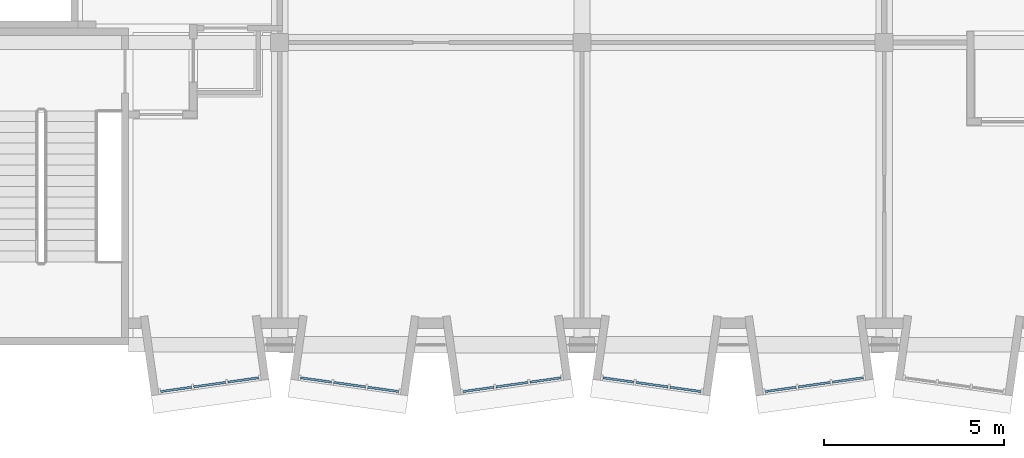
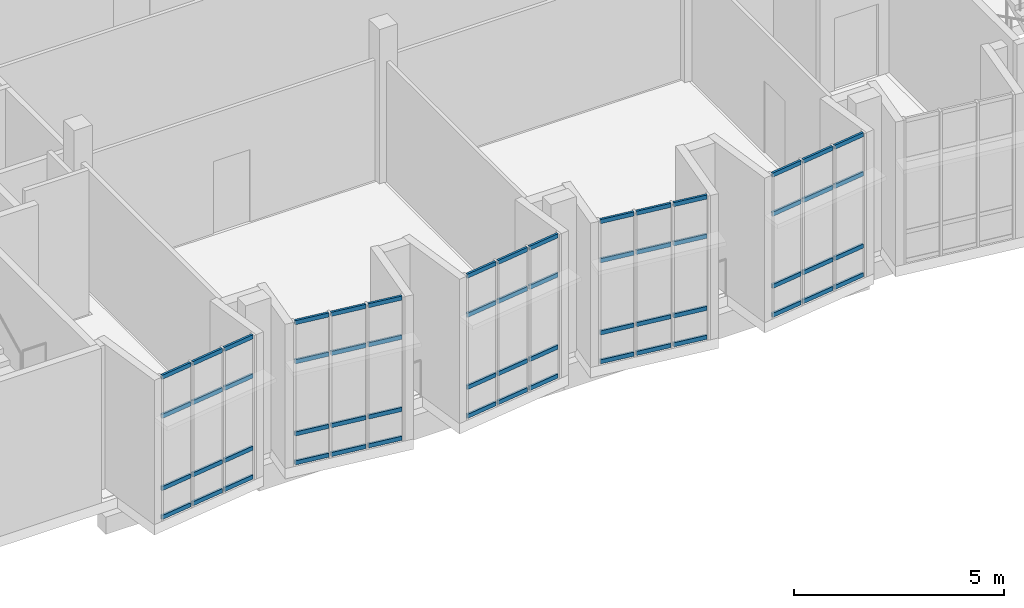
# One storey, part 5 of 18: 60 members, 5 elements without a shape of their own.
"""IFC4 building model written with IfcOpenShell, lengths in metres."""

from ifc_helpers import new_model, si_unit, direction, frame, origin, origin_2d, place, context, subcontext, project, spatial, rectangle, extrude, material, layer, layer_set, material_profile, profile_set, type_object, element, aggregate, save


model = new_model("IFC4")

# Units and contexts
model_context = context("Model", 3, precision=1e-05, world=origin(), true_north=direction((0.0, 1.0)))
body_context = subcontext(model_context, "Body", "Model", "MODEL_VIEW")
ifc_project = project(units=[si_unit("LENGTHUNIT", "METRE"), si_unit("AREAUNIT", "SQUARE_METRE"), si_unit("VOLUMEUNIT", "CUBIC_METRE"), si_unit("PLANEANGLEUNIT", "RADIAN"), si_unit("MASSUNIT", "GRAM", prefix="KILO")], contexts=[model_context])

# Site, building, storey
site_placement = place(None, origin())
site = spatial("IfcSite", under=ifc_project, at=site_placement, CompositionType="ELEMENT")
building_placement = place(site_placement, origin())
building = spatial("IfcBuilding", under=site, at=building_placement, Name="Kiln Court Media Centre", CompositionType="ELEMENT")
storey_placement = place(building_placement, frame((0.0, 0.0, 33.60009765625)))
storey = spatial("IfcBuildingStorey", under=building, at=storey_placement, Name="L07", CompositionType="ELEMENT", Elevation=33.60009765625)

# Curtain wall, members
ifc_material_1 = material(Name="Aluminium 6063-T6", Category="aluminium")
ifc_layer = layer(ifc_material_1, 0.1201171875)
ifc_layer_set = layer_set([ifc_layer], Name="Aluminium unitised bay curtain wall")
curtain_wall_type = type_object("IfcCurtainWallType", Name="Aluminium unitised bay curtain wall", PredefinedType="USERDEFINED", material=ifc_layer_set)
curtain_wall_1_placement = place(storey_placement, origin())
curtain_wall_1 = element("IfcCurtainWall", 1, at=curtain_wall_1_placement, inside=storey, type_object=curtain_wall_type, Name="BAY V6A-S-L07-47 front", ObjectType="UNITISED CURTAIN WALL", PredefinedType="USERDEFINED")
ifc_material_2 = material(Name="Aluminium 6063-T6", Category="aluminium")
ifc_material_profile = material_profile(ifc_material_2, rectangle(XDim=0.06005859375, YDim=0.1201171875, at=origin_2d()), Name="Aluminium transom 60x120")
ifc_profile_set = profile_set([ifc_material_profile], Name="Aluminium 6063-T6")
member_type = type_object("IfcMemberType", Name="Aluminium transom 60x120", PredefinedType="USERDEFINED", material=ifc_profile_set)
member_1_placement = place(storey_placement, frame((5.09423828125, -1.300537109375, 0.059814453125), z_axis=(0.990268108888, 0.139172815303, 0.0), x_axis=(-0.139172815303, 0.990268108888, 0.0)))
member_1 = element("IfcMember", 2, at=member_1_placement, type_object=member_type, Name="CW7-11 transom 1.1", ObjectType="TRANSOM", PredefinedType="USERDEFINED", context=body_context, shape_type="SweptSolid", body=[
    extrude(rectangle(XDim=0.06005859375, YDim=0.1201171875, at=origin_2d()), origin(), (0.0, 0.0, 1.0), 0.86669921875),
])
member_2_placement = place(storey_placement, frame((5.09423828125, -1.300537109375, 0.89990234375), z_axis=(0.990268108888, 0.139172815303, 0.0), x_axis=(-0.139172815303, 0.990268108888, 0.0)))
member_2 = element("IfcMember", 3, at=member_2_placement, type_object=member_type, Name="CW7-11 transom 1.2", ObjectType="TRANSOM", PredefinedType="USERDEFINED", context=body_context, shape_type="SweptSolid", body=[
    extrude(rectangle(XDim=0.06005859375, YDim=0.1201171875, at=origin_2d()), origin(), (0.0, 0.0, 1.0), 0.86669921875),
])
member_3_placement = place(storey_placement, frame((5.09423828125, -1.300537109375, 3.0), z_axis=(0.990268108888, 0.139172815303, 0.0), x_axis=(-0.139172815303, 0.990268108888, 0.0)))
member_3 = element("IfcMember", 4, at=member_3_placement, type_object=member_type, Name="CW7-11 transom 1.3", ObjectType="TRANSOM", PredefinedType="USERDEFINED", context=body_context, shape_type="SweptSolid", body=[
    extrude(rectangle(XDim=0.06005859375, YDim=0.1201171875, at=origin_2d()), origin(), (0.0, 0.0, 1.0), 0.86669921875),
])
member_4_placement = place(storey_placement, frame((5.09423828125, -1.300537109375, 4.139892578125), z_axis=(0.990268108888, 0.139172815303, 0.0), x_axis=(-0.139172815303, 0.990268108888, 0.0)))
member_4 = element("IfcMember", 5, at=member_4_placement, type_object=member_type, Name="CW7-11 transom 1.4", ObjectType="TRANSOM", PredefinedType="USERDEFINED", context=body_context, shape_type="SweptSolid", body=[
    extrude(rectangle(XDim=0.06005859375, YDim=0.1201171875, at=origin_2d()), origin(), (0.0, 0.0, 1.0), 0.86669921875),
])
member_5_placement = place(storey_placement, frame((6.011962890625, -1.17138671875, 0.059814453125), z_axis=(0.990273584723, 0.13913384707, 0.0), x_axis=(-0.13913384707, 0.990273584723, 0.0)))
member_5 = element("IfcMember", 6, at=member_5_placement, type_object=member_type, Name="CW7-11 transom 2.1", ObjectType="TRANSOM", PredefinedType="USERDEFINED", context=body_context, shape_type="SweptSolid", body=[
    extrude(rectangle(XDim=0.06005859375, YDim=0.1201171875, at=origin_2d()), origin(), (0.0, 0.0, 1.0), 0.896728515625),
])
member_6_placement = place(storey_placement, frame((6.011962890625, -1.17138671875, 0.89990234375), z_axis=(0.990273584723, 0.13913384707, 0.0), x_axis=(-0.13913384707, 0.990273584723, 0.0)))
member_6 = element("IfcMember", 7, at=member_6_placement, type_object=member_type, Name="CW7-11 transom 2.2", ObjectType="TRANSOM", PredefinedType="USERDEFINED", context=body_context, shape_type="SweptSolid", body=[
    extrude(rectangle(XDim=0.06005859375, YDim=0.1201171875, at=origin_2d()), origin(), (0.0, 0.0, 1.0), 0.896728515625),
])
member_7_placement = place(storey_placement, frame((6.011962890625, -1.17138671875, 3.0), z_axis=(0.990273584723, 0.13913384707, 0.0), x_axis=(-0.13913384707, 0.990273584723, 0.0)))
member_7 = element("IfcMember", 8, at=member_7_placement, type_object=member_type, Name="CW7-11 transom 2.3", ObjectType="TRANSOM", PredefinedType="USERDEFINED", context=body_context, shape_type="SweptSolid", body=[
    extrude(rectangle(XDim=0.06005859375, YDim=0.1201171875, at=origin_2d()), origin(), (0.0, 0.0, 1.0), 0.896728515625),
])
member_8_placement = place(storey_placement, frame((6.011962890625, -1.17138671875, 4.139892578125), z_axis=(0.990273584723, 0.13913384707, 0.0), x_axis=(-0.13913384707, 0.990273584723, 0.0)))
member_8 = element("IfcMember", 9, at=member_8_placement, type_object=member_type, Name="CW7-11 transom 2.4", ObjectType="TRANSOM", PredefinedType="USERDEFINED", context=body_context, shape_type="SweptSolid", body=[
    extrude(rectangle(XDim=0.06005859375, YDim=0.1201171875, at=origin_2d()), origin(), (0.0, 0.0, 1.0), 0.896728515625),
])
member_9_placement = place(storey_placement, frame((6.959228515625, -1.038330078125, 0.059814453125), z_axis=(0.990268108888, 0.139172815303, 0.0), x_axis=(-0.139172815303, 0.990268108888, 0.0)))
member_9 = element("IfcMember", 10, at=member_9_placement, type_object=member_type, Name="CW7-11 transom 3.1", ObjectType="TRANSOM", PredefinedType="USERDEFINED", context=body_context, shape_type="SweptSolid", body=[
    extrude(rectangle(XDim=0.06005859375, YDim=0.1201171875, at=origin_2d()), origin(), (0.0, 0.0, 1.0), 0.86669921875),
])
member_10_placement = place(storey_placement, frame((6.959228515625, -1.038330078125, 0.89990234375), z_axis=(0.990268108888, 0.139172815303, 0.0), x_axis=(-0.139172815303, 0.990268108888, 0.0)))
member_10 = element("IfcMember", 11, at=member_10_placement, type_object=member_type, Name="CW7-11 transom 3.2", ObjectType="TRANSOM", PredefinedType="USERDEFINED", context=body_context, shape_type="SweptSolid", body=[
    extrude(rectangle(XDim=0.06005859375, YDim=0.1201171875, at=origin_2d()), origin(), (0.0, 0.0, 1.0), 0.86669921875),
])
member_11_placement = place(storey_placement, frame((6.959228515625, -1.038330078125, 3.0), z_axis=(0.990268108888, 0.139172815303, 0.0), x_axis=(-0.139172815303, 0.990268108888, 0.0)))
member_11 = element("IfcMember", 12, at=member_11_placement, type_object=member_type, Name="CW7-11 transom 3.3", ObjectType="TRANSOM", PredefinedType="USERDEFINED", context=body_context, shape_type="SweptSolid", body=[
    extrude(rectangle(XDim=0.06005859375, YDim=0.1201171875, at=origin_2d()), origin(), (0.0, 0.0, 1.0), 0.86669921875),
])
member_12_placement = place(storey_placement, frame((6.959228515625, -1.038330078125, 4.139892578125), z_axis=(0.990268108888, 0.139172815303, 0.0), x_axis=(-0.139172815303, 0.990268108888, 0.0)))
member_12 = element("IfcMember", 13, at=member_12_placement, type_object=member_type, Name="CW7-11 transom 3.4", ObjectType="TRANSOM", PredefinedType="USERDEFINED", context=body_context, shape_type="SweptSolid", body=[
    extrude(rectangle(XDim=0.06005859375, YDim=0.1201171875, at=origin_2d()), origin(), (0.0, 0.0, 1.0), 0.86669921875),
])
aggregate(curtain_wall_1, [member_1, member_2, member_3, member_4, member_5, member_6, member_7, member_8, member_9, member_10, member_11, member_12])

curtain_wall_2_placement = place(storey_placement, origin())
curtain_wall_2 = element("IfcCurtainWall", 14, at=curtain_wall_2_placement, inside=storey, type_object=curtain_wall_type, Name="BAY V6A-S-L07-48 front", ObjectType="UNITISED CURTAIN WALL", PredefinedType="USERDEFINED")
member_13_placement = place(storey_placement, frame((8.982421875, -0.917724609375, 0.059814453125), z_axis=(0.990273563383, -0.139133998951, 0.0), x_axis=(0.139133998951, 0.990273563383, 0.0)))
member_13 = element("IfcMember", 15, at=member_13_placement, type_object=member_type, Name="CW7-12 transom 1.1", ObjectType="TRANSOM", PredefinedType="USERDEFINED", context=body_context, shape_type="SweptSolid", body=[
    extrude(rectangle(XDim=0.06005859375, YDim=0.1201171875, at=origin_2d()), origin(), (0.0, 0.0, 1.0), 0.866943359375),
])
member_14_placement = place(storey_placement, frame((8.982421875, -0.917724609375, 0.89990234375), z_axis=(0.990273563383, -0.139133998951, 0.0), x_axis=(0.139133998951, 0.990273563383, 0.0)))
member_14 = element("IfcMember", 16, at=member_14_placement, type_object=member_type, Name="CW7-12 transom 1.2", ObjectType="TRANSOM", PredefinedType="USERDEFINED", context=body_context, shape_type="SweptSolid", body=[
    extrude(rectangle(XDim=0.06005859375, YDim=0.1201171875, at=origin_2d()), origin(), (0.0, 0.0, 1.0), 0.866943359375),
])
member_15_placement = place(storey_placement, frame((8.982421875, -0.917724609375, 3.0), z_axis=(0.990273563383, -0.139133998951, 0.0), x_axis=(0.139133998951, 0.990273563383, 0.0)))
member_15 = element("IfcMember", 17, at=member_15_placement, type_object=member_type, Name="CW7-12 transom 1.3", ObjectType="TRANSOM", PredefinedType="USERDEFINED", context=body_context, shape_type="SweptSolid", body=[
    extrude(rectangle(XDim=0.06005859375, YDim=0.1201171875, at=origin_2d()), origin(), (0.0, 0.0, 1.0), 0.866943359375),
])
member_16_placement = place(storey_placement, frame((8.982421875, -0.917724609375, 4.139892578125), z_axis=(0.990273563383, -0.139133998951, 0.0), x_axis=(0.139133998951, 0.990273563383, 0.0)))
member_16 = element("IfcMember", 18, at=member_16_placement, type_object=member_type, Name="CW7-12 transom 1.4", ObjectType="TRANSOM", PredefinedType="USERDEFINED", context=body_context, shape_type="SweptSolid", body=[
    extrude(rectangle(XDim=0.06005859375, YDim=0.1201171875, at=origin_2d()), origin(), (0.0, 0.0, 1.0), 0.866943359375),
])
member_17_placement = place(storey_placement, frame((9.900146484375, -1.046630859375, 0.059814453125), z_axis=(0.990273584723, -0.13913384707, 0.0), x_axis=(0.13913384707, 0.990273584723, 0.0)))
member_17 = element("IfcMember", 19, at=member_17_placement, type_object=member_type, Name="CW7-12 transom 2.1", ObjectType="TRANSOM", PredefinedType="USERDEFINED", context=body_context, shape_type="SweptSolid", body=[
    extrude(rectangle(XDim=0.06005859375, YDim=0.1201171875, at=origin_2d()), origin(), (0.0, 0.0, 1.0), 0.896728515625),
])
member_18_placement = place(storey_placement, frame((9.900146484375, -1.046630859375, 0.89990234375), z_axis=(0.990273584723, -0.13913384707, 0.0), x_axis=(0.13913384707, 0.990273584723, 0.0)))
member_18 = element("IfcMember", 20, at=member_18_placement, type_object=member_type, Name="CW7-12 transom 2.2", ObjectType="TRANSOM", PredefinedType="USERDEFINED", context=body_context, shape_type="SweptSolid", body=[
    extrude(rectangle(XDim=0.06005859375, YDim=0.1201171875, at=origin_2d()), origin(), (0.0, 0.0, 1.0), 0.896728515625),
])
member_19_placement = place(storey_placement, frame((9.900146484375, -1.046630859375, 3.0), z_axis=(0.990273584723, -0.13913384707, 0.0), x_axis=(0.13913384707, 0.990273584723, 0.0)))
member_19 = element("IfcMember", 21, at=member_19_placement, type_object=member_type, Name="CW7-12 transom 2.3", ObjectType="TRANSOM", PredefinedType="USERDEFINED", context=body_context, shape_type="SweptSolid", body=[
    extrude(rectangle(XDim=0.06005859375, YDim=0.1201171875, at=origin_2d()), origin(), (0.0, 0.0, 1.0), 0.896728515625),
])
member_20_placement = place(storey_placement, frame((9.900146484375, -1.046630859375, 4.139892578125), z_axis=(0.990273584723, -0.13913384707, 0.0), x_axis=(0.13913384707, 0.990273584723, 0.0)))
member_20 = element("IfcMember", 22, at=member_20_placement, type_object=member_type, Name="CW7-12 transom 2.4", ObjectType="TRANSOM", PredefinedType="USERDEFINED", context=body_context, shape_type="SweptSolid", body=[
    extrude(rectangle(XDim=0.06005859375, YDim=0.1201171875, at=origin_2d()), origin(), (0.0, 0.0, 1.0), 0.896728515625),
])
member_21_placement = place(storey_placement, frame((10.84765625, -1.179931640625, 0.059814453125), z_axis=(0.990268108888, -0.139172815303, 0.0), x_axis=(0.139172815303, 0.990268108888, 0.0)))
member_21 = element("IfcMember", 23, at=member_21_placement, type_object=member_type, Name="CW7-12 transom 3.1", ObjectType="TRANSOM", PredefinedType="USERDEFINED", context=body_context, shape_type="SweptSolid", body=[
    extrude(rectangle(XDim=0.06005859375, YDim=0.1201171875, at=origin_2d()), origin(), (0.0, 0.0, 1.0), 0.86669921875),
])
member_22_placement = place(storey_placement, frame((10.84765625, -1.179931640625, 0.89990234375), z_axis=(0.990268108888, -0.139172815303, 0.0), x_axis=(0.139172815303, 0.990268108888, 0.0)))
member_22 = element("IfcMember", 24, at=member_22_placement, type_object=member_type, Name="CW7-12 transom 3.2", ObjectType="TRANSOM", PredefinedType="USERDEFINED", context=body_context, shape_type="SweptSolid", body=[
    extrude(rectangle(XDim=0.06005859375, YDim=0.1201171875, at=origin_2d()), origin(), (0.0, 0.0, 1.0), 0.86669921875),
])
member_23_placement = place(storey_placement, frame((10.84765625, -1.179931640625, 3.0), z_axis=(0.990268108888, -0.139172815303, 0.0), x_axis=(0.139172815303, 0.990268108888, 0.0)))
member_23 = element("IfcMember", 25, at=member_23_placement, type_object=member_type, Name="CW7-12 transom 3.3", ObjectType="TRANSOM", PredefinedType="USERDEFINED", context=body_context, shape_type="SweptSolid", body=[
    extrude(rectangle(XDim=0.06005859375, YDim=0.1201171875, at=origin_2d()), origin(), (0.0, 0.0, 1.0), 0.86669921875),
])
member_24_placement = place(storey_placement, frame((10.84765625, -1.179931640625, 4.139892578125), z_axis=(0.990268108888, -0.139172815303, 0.0), x_axis=(0.139172815303, 0.990268108888, 0.0)))
member_24 = element("IfcMember", 26, at=member_24_placement, type_object=member_type, Name="CW7-12 transom 3.4", ObjectType="TRANSOM", PredefinedType="USERDEFINED", context=body_context, shape_type="SweptSolid", body=[
    extrude(rectangle(XDim=0.06005859375, YDim=0.1201171875, at=origin_2d()), origin(), (0.0, 0.0, 1.0), 0.86669921875),
])
aggregate(curtain_wall_2, [member_13, member_14, member_15, member_16, member_17, member_18, member_19, member_20, member_21, member_22, member_23, member_24])

curtain_wall_3_placement = place(storey_placement, origin())
curtain_wall_3 = element("IfcCurtainWall", 27, at=curtain_wall_3_placement, inside=storey, type_object=curtain_wall_type, Name="BAY V6A-S-L07-49 front", ObjectType="UNITISED CURTAIN WALL", PredefinedType="USERDEFINED")
member_25_placement = place(storey_placement, frame((13.494140625, -1.300537109375, 0.059814453125), z_axis=(0.990273563383, 0.139133998951, 0.0), x_axis=(-0.139133998951, 0.990273563383, 0.0)))
member_25 = element("IfcMember", 28, at=member_25_placement, type_object=member_type, Name="CW7-13 transom 1.1", ObjectType="TRANSOM", PredefinedType="USERDEFINED", context=body_context, shape_type="SweptSolid", body=[
    extrude(rectangle(XDim=0.06005859375, YDim=0.1201171875, at=origin_2d()), origin(), (0.0, 0.0, 1.0), 0.866943359375),
])
member_26_placement = place(storey_placement, frame((13.494140625, -1.300537109375, 0.89990234375), z_axis=(0.990273563383, 0.139133998951, 0.0), x_axis=(-0.139133998951, 0.990273563383, 0.0)))
member_26 = element("IfcMember", 29, at=member_26_placement, type_object=member_type, Name="CW7-13 transom 1.2", ObjectType="TRANSOM", PredefinedType="USERDEFINED", context=body_context, shape_type="SweptSolid", body=[
    extrude(rectangle(XDim=0.06005859375, YDim=0.1201171875, at=origin_2d()), origin(), (0.0, 0.0, 1.0), 0.866943359375),
])
member_27_placement = place(storey_placement, frame((13.494140625, -1.300537109375, 3.0), z_axis=(0.990273563383, 0.139133998951, 0.0), x_axis=(-0.139133998951, 0.990273563383, 0.0)))
member_27 = element("IfcMember", 30, at=member_27_placement, type_object=member_type, Name="CW7-13 transom 1.3", ObjectType="TRANSOM", PredefinedType="USERDEFINED", context=body_context, shape_type="SweptSolid", body=[
    extrude(rectangle(XDim=0.06005859375, YDim=0.1201171875, at=origin_2d()), origin(), (0.0, 0.0, 1.0), 0.866943359375),
])
member_28_placement = place(storey_placement, frame((13.494140625, -1.300537109375, 4.139892578125), z_axis=(0.990273563383, 0.139133998951, 0.0), x_axis=(-0.139133998951, 0.990273563383, 0.0)))
member_28 = element("IfcMember", 31, at=member_28_placement, type_object=member_type, Name="CW7-13 transom 1.4", ObjectType="TRANSOM", PredefinedType="USERDEFINED", context=body_context, shape_type="SweptSolid", body=[
    extrude(rectangle(XDim=0.06005859375, YDim=0.1201171875, at=origin_2d()), origin(), (0.0, 0.0, 1.0), 0.866943359375),
])
member_29_placement = place(storey_placement, frame((14.411865234375, -1.17138671875, 0.059814453125), z_axis=(0.990273584723, 0.13913384707, 0.0), x_axis=(-0.13913384707, 0.990273584723, 0.0)))
member_29 = element("IfcMember", 32, at=member_29_placement, type_object=member_type, Name="CW7-13 transom 2.1", ObjectType="TRANSOM", PredefinedType="USERDEFINED", context=body_context, shape_type="SweptSolid", body=[
    extrude(rectangle(XDim=0.06005859375, YDim=0.1201171875, at=origin_2d()), origin(), (0.0, 0.0, 1.0), 0.896728515625),
])
member_30_placement = place(storey_placement, frame((14.411865234375, -1.17138671875, 0.89990234375), z_axis=(0.990273584723, 0.13913384707, 0.0), x_axis=(-0.13913384707, 0.990273584723, 0.0)))
member_30 = element("IfcMember", 33, at=member_30_placement, type_object=member_type, Name="CW7-13 transom 2.2", ObjectType="TRANSOM", PredefinedType="USERDEFINED", context=body_context, shape_type="SweptSolid", body=[
    extrude(rectangle(XDim=0.06005859375, YDim=0.1201171875, at=origin_2d()), origin(), (0.0, 0.0, 1.0), 0.896728515625),
])
member_31_placement = place(storey_placement, frame((14.411865234375, -1.17138671875, 3.0), z_axis=(0.990273584723, 0.13913384707, 0.0), x_axis=(-0.13913384707, 0.990273584723, 0.0)))
member_31 = element("IfcMember", 34, at=member_31_placement, type_object=member_type, Name="CW7-13 transom 2.3", ObjectType="TRANSOM", PredefinedType="USERDEFINED", context=body_context, shape_type="SweptSolid", body=[
    extrude(rectangle(XDim=0.06005859375, YDim=0.1201171875, at=origin_2d()), origin(), (0.0, 0.0, 1.0), 0.896728515625),
])
member_32_placement = place(storey_placement, frame((14.411865234375, -1.17138671875, 4.139892578125), z_axis=(0.990273584723, 0.13913384707, 0.0), x_axis=(-0.13913384707, 0.990273584723, 0.0)))
member_32 = element("IfcMember", 35, at=member_32_placement, type_object=member_type, Name="CW7-13 transom 2.4", ObjectType="TRANSOM", PredefinedType="USERDEFINED", context=body_context, shape_type="SweptSolid", body=[
    extrude(rectangle(XDim=0.06005859375, YDim=0.1201171875, at=origin_2d()), origin(), (0.0, 0.0, 1.0), 0.896728515625),
])
member_33_placement = place(storey_placement, frame((15.359130859375, -1.038330078125, 0.059814453125), z_axis=(0.990273563383, 0.139133998951, 0.0), x_axis=(-0.139133998951, 0.990273563383, 0.0)))
member_33 = element("IfcMember", 36, at=member_33_placement, type_object=member_type, Name="CW7-13 transom 3.1", ObjectType="TRANSOM", PredefinedType="USERDEFINED", context=body_context, shape_type="SweptSolid", body=[
    extrude(rectangle(XDim=0.06005859375, YDim=0.1201171875, at=origin_2d()), origin(), (0.0, 0.0, 1.0), 0.866943359375),
])
member_34_placement = place(storey_placement, frame((15.359130859375, -1.038330078125, 0.89990234375), z_axis=(0.990273563383, 0.139133998951, 0.0), x_axis=(-0.139133998951, 0.990273563383, 0.0)))
member_34 = element("IfcMember", 37, at=member_34_placement, type_object=member_type, Name="CW7-13 transom 3.2", ObjectType="TRANSOM", PredefinedType="USERDEFINED", context=body_context, shape_type="SweptSolid", body=[
    extrude(rectangle(XDim=0.06005859375, YDim=0.1201171875, at=origin_2d()), origin(), (0.0, 0.0, 1.0), 0.866943359375),
])
member_35_placement = place(storey_placement, frame((15.359130859375, -1.038330078125, 3.0), z_axis=(0.990273563383, 0.139133998951, 0.0), x_axis=(-0.139133998951, 0.990273563383, 0.0)))
member_35 = element("IfcMember", 38, at=member_35_placement, type_object=member_type, Name="CW7-13 transom 3.3", ObjectType="TRANSOM", PredefinedType="USERDEFINED", context=body_context, shape_type="SweptSolid", body=[
    extrude(rectangle(XDim=0.06005859375, YDim=0.1201171875, at=origin_2d()), origin(), (0.0, 0.0, 1.0), 0.866943359375),
])
member_36_placement = place(storey_placement, frame((15.359130859375, -1.038330078125, 4.139892578125), z_axis=(0.990273563383, 0.139133998951, 0.0), x_axis=(-0.139133998951, 0.990273563383, 0.0)))
member_36 = element("IfcMember", 39, at=member_36_placement, type_object=member_type, Name="CW7-13 transom 3.4", ObjectType="TRANSOM", PredefinedType="USERDEFINED", context=body_context, shape_type="SweptSolid", body=[
    extrude(rectangle(XDim=0.06005859375, YDim=0.1201171875, at=origin_2d()), origin(), (0.0, 0.0, 1.0), 0.866943359375),
])
aggregate(curtain_wall_3, [member_25, member_26, member_27, member_28, member_29, member_30, member_31, member_32, member_33, member_34, member_35, member_36])

curtain_wall_4_placement = place(storey_placement, origin())
curtain_wall_4 = element("IfcCurtainWall", 40, at=curtain_wall_4_placement, inside=storey, type_object=curtain_wall_type, Name="BAY V6A-S-L07-50 front", ObjectType="UNITISED CURTAIN WALL", PredefinedType="USERDEFINED")
member_37_placement = place(storey_placement, frame((17.382568359375, -0.917724609375, 0.059814453125), z_axis=(0.990268108888, -0.139172815303, 0.0), x_axis=(0.139172815303, 0.990268108888, 0.0)))
member_37 = element("IfcMember", 41, at=member_37_placement, type_object=member_type, Name="CW7-14 transom 1.1", ObjectType="TRANSOM", PredefinedType="USERDEFINED", context=body_context, shape_type="SweptSolid", body=[
    extrude(rectangle(XDim=0.06005859375, YDim=0.1201171875, at=origin_2d()), origin(), (0.0, 0.0, 1.0), 0.86669921875),
])
member_38_placement = place(storey_placement, frame((17.382568359375, -0.917724609375, 0.89990234375), z_axis=(0.990268108888, -0.139172815303, 0.0), x_axis=(0.139172815303, 0.990268108888, 0.0)))
member_38 = element("IfcMember", 42, at=member_38_placement, type_object=member_type, Name="CW7-14 transom 1.2", ObjectType="TRANSOM", PredefinedType="USERDEFINED", context=body_context, shape_type="SweptSolid", body=[
    extrude(rectangle(XDim=0.06005859375, YDim=0.1201171875, at=origin_2d()), origin(), (0.0, 0.0, 1.0), 0.86669921875),
])
member_39_placement = place(storey_placement, frame((17.382568359375, -0.917724609375, 3.0), z_axis=(0.990268108888, -0.139172815303, 0.0), x_axis=(0.139172815303, 0.990268108888, 0.0)))
member_39 = element("IfcMember", 43, at=member_39_placement, type_object=member_type, Name="CW7-14 transom 1.3", ObjectType="TRANSOM", PredefinedType="USERDEFINED", context=body_context, shape_type="SweptSolid", body=[
    extrude(rectangle(XDim=0.06005859375, YDim=0.1201171875, at=origin_2d()), origin(), (0.0, 0.0, 1.0), 0.86669921875),
])
member_40_placement = place(storey_placement, frame((17.382568359375, -0.917724609375, 4.139892578125), z_axis=(0.990268108888, -0.139172815303, 0.0), x_axis=(0.139172815303, 0.990268108888, 0.0)))
member_40 = element("IfcMember", 44, at=member_40_placement, type_object=member_type, Name="CW7-14 transom 1.4", ObjectType="TRANSOM", PredefinedType="USERDEFINED", context=body_context, shape_type="SweptSolid", body=[
    extrude(rectangle(XDim=0.06005859375, YDim=0.1201171875, at=origin_2d()), origin(), (0.0, 0.0, 1.0), 0.86669921875),
])
member_41_placement = place(storey_placement, frame((18.30029296875, -1.046630859375, 0.059814453125), z_axis=(0.990273584723, -0.13913384707, 0.0), x_axis=(0.13913384707, 0.990273584723, 0.0)))
member_41 = element("IfcMember", 45, at=member_41_placement, type_object=member_type, Name="CW7-14 transom 2.1", ObjectType="TRANSOM", PredefinedType="USERDEFINED", context=body_context, shape_type="SweptSolid", body=[
    extrude(rectangle(XDim=0.06005859375, YDim=0.1201171875, at=origin_2d()), origin(), (0.0, 0.0, 1.0), 0.896728515625),
])
member_42_placement = place(storey_placement, frame((18.30029296875, -1.046630859375, 0.89990234375), z_axis=(0.990273584723, -0.13913384707, 0.0), x_axis=(0.13913384707, 0.990273584723, 0.0)))
member_42 = element("IfcMember", 46, at=member_42_placement, type_object=member_type, Name="CW7-14 transom 2.2", ObjectType="TRANSOM", PredefinedType="USERDEFINED", context=body_context, shape_type="SweptSolid", body=[
    extrude(rectangle(XDim=0.06005859375, YDim=0.1201171875, at=origin_2d()), origin(), (0.0, 0.0, 1.0), 0.896728515625),
])
member_43_placement = place(storey_placement, frame((18.30029296875, -1.046630859375, 3.0), z_axis=(0.990273584723, -0.13913384707, 0.0), x_axis=(0.13913384707, 0.990273584723, 0.0)))
member_43 = element("IfcMember", 47, at=member_43_placement, type_object=member_type, Name="CW7-14 transom 2.3", ObjectType="TRANSOM", PredefinedType="USERDEFINED", context=body_context, shape_type="SweptSolid", body=[
    extrude(rectangle(XDim=0.06005859375, YDim=0.1201171875, at=origin_2d()), origin(), (0.0, 0.0, 1.0), 0.896728515625),
])
member_44_placement = place(storey_placement, frame((18.30029296875, -1.046630859375, 4.139892578125), z_axis=(0.990273584723, -0.13913384707, 0.0), x_axis=(0.13913384707, 0.990273584723, 0.0)))
member_44 = element("IfcMember", 48, at=member_44_placement, type_object=member_type, Name="CW7-14 transom 2.4", ObjectType="TRANSOM", PredefinedType="USERDEFINED", context=body_context, shape_type="SweptSolid", body=[
    extrude(rectangle(XDim=0.06005859375, YDim=0.1201171875, at=origin_2d()), origin(), (0.0, 0.0, 1.0), 0.896728515625),
])
member_45_placement = place(storey_placement, frame((19.24755859375, -1.179931640625, 0.059814453125), z_axis=(0.990268108888, -0.139172815303, 0.0), x_axis=(0.139172815303, 0.990268108888, 0.0)))
member_45 = element("IfcMember", 49, at=member_45_placement, type_object=member_type, Name="CW7-14 transom 3.1", ObjectType="TRANSOM", PredefinedType="USERDEFINED", context=body_context, shape_type="SweptSolid", body=[
    extrude(rectangle(XDim=0.06005859375, YDim=0.1201171875, at=origin_2d()), origin(), (0.0, 0.0, 1.0), 0.86669921875),
])
member_46_placement = place(storey_placement, frame((19.24755859375, -1.179931640625, 0.89990234375), z_axis=(0.990268108888, -0.139172815303, 0.0), x_axis=(0.139172815303, 0.990268108888, 0.0)))
member_46 = element("IfcMember", 50, at=member_46_placement, type_object=member_type, Name="CW7-14 transom 3.2", ObjectType="TRANSOM", PredefinedType="USERDEFINED", context=body_context, shape_type="SweptSolid", body=[
    extrude(rectangle(XDim=0.06005859375, YDim=0.1201171875, at=origin_2d()), origin(), (0.0, 0.0, 1.0), 0.86669921875),
])
member_47_placement = place(storey_placement, frame((19.24755859375, -1.179931640625, 3.0), z_axis=(0.990268108888, -0.139172815303, 0.0), x_axis=(0.139172815303, 0.990268108888, 0.0)))
member_47 = element("IfcMember", 51, at=member_47_placement, type_object=member_type, Name="CW7-14 transom 3.3", ObjectType="TRANSOM", PredefinedType="USERDEFINED", context=body_context, shape_type="SweptSolid", body=[
    extrude(rectangle(XDim=0.06005859375, YDim=0.1201171875, at=origin_2d()), origin(), (0.0, 0.0, 1.0), 0.86669921875),
])
member_48_placement = place(storey_placement, frame((19.24755859375, -1.179931640625, 4.139892578125), z_axis=(0.990268108888, -0.139172815303, 0.0), x_axis=(0.139172815303, 0.990268108888, 0.0)))
member_48 = element("IfcMember", 52, at=member_48_placement, type_object=member_type, Name="CW7-14 transom 3.4", ObjectType="TRANSOM", PredefinedType="USERDEFINED", context=body_context, shape_type="SweptSolid", body=[
    extrude(rectangle(XDim=0.06005859375, YDim=0.1201171875, at=origin_2d()), origin(), (0.0, 0.0, 1.0), 0.86669921875),
])
aggregate(curtain_wall_4, [member_37, member_38, member_39, member_40, member_41, member_42, member_43, member_44, member_45, member_46, member_47, member_48])

curtain_wall_5_placement = place(storey_placement, origin())
curtain_wall_5 = element("IfcCurtainWall", 53, at=curtain_wall_5_placement, inside=storey, type_object=curtain_wall_type, Name="BAY V6A-S-L07-51 front", ObjectType="UNITISED CURTAIN WALL", PredefinedType="USERDEFINED")
member_49_placement = place(storey_placement, frame((21.894287109375, -1.300537109375, 0.059814453125), z_axis=(0.990268108888, 0.139172815303, 0.0), x_axis=(-0.139172815303, 0.990268108888, 0.0)))
member_49 = element("IfcMember", 54, at=member_49_placement, type_object=member_type, Name="CW7-15 transom 1.1", ObjectType="TRANSOM", PredefinedType="USERDEFINED", context=body_context, shape_type="SweptSolid", body=[
    extrude(rectangle(XDim=0.06005859375, YDim=0.1201171875, at=origin_2d()), origin(), (0.0, 0.0, 1.0), 0.86669921875),
])
member_50_placement = place(storey_placement, frame((21.894287109375, -1.300537109375, 0.89990234375), z_axis=(0.990268108888, 0.139172815303, 0.0), x_axis=(-0.139172815303, 0.990268108888, 0.0)))
member_50 = element("IfcMember", 55, at=member_50_placement, type_object=member_type, Name="CW7-15 transom 1.2", ObjectType="TRANSOM", PredefinedType="USERDEFINED", context=body_context, shape_type="SweptSolid", body=[
    extrude(rectangle(XDim=0.06005859375, YDim=0.1201171875, at=origin_2d()), origin(), (0.0, 0.0, 1.0), 0.86669921875),
])
member_51_placement = place(storey_placement, frame((21.894287109375, -1.300537109375, 3.0), z_axis=(0.990268108888, 0.139172815303, 0.0), x_axis=(-0.139172815303, 0.990268108888, 0.0)))
member_51 = element("IfcMember", 56, at=member_51_placement, type_object=member_type, Name="CW7-15 transom 1.3", ObjectType="TRANSOM", PredefinedType="USERDEFINED", context=body_context, shape_type="SweptSolid", body=[
    extrude(rectangle(XDim=0.06005859375, YDim=0.1201171875, at=origin_2d()), origin(), (0.0, 0.0, 1.0), 0.86669921875),
])
member_52_placement = place(storey_placement, frame((21.894287109375, -1.300537109375, 4.139892578125), z_axis=(0.990268108888, 0.139172815303, 0.0), x_axis=(-0.139172815303, 0.990268108888, 0.0)))
member_52 = element("IfcMember", 57, at=member_52_placement, type_object=member_type, Name="CW7-15 transom 1.4", ObjectType="TRANSOM", PredefinedType="USERDEFINED", context=body_context, shape_type="SweptSolid", body=[
    extrude(rectangle(XDim=0.06005859375, YDim=0.1201171875, at=origin_2d()), origin(), (0.0, 0.0, 1.0), 0.86669921875),
])
member_53_placement = place(storey_placement, frame((22.811767578125, -1.17138671875, 0.059814453125), z_axis=(0.990273584723, 0.13913384707, 0.0), x_axis=(-0.13913384707, 0.990273584723, 0.0)))
member_53 = element("IfcMember", 58, at=member_53_placement, type_object=member_type, Name="CW7-15 transom 2.1", ObjectType="TRANSOM", PredefinedType="USERDEFINED", context=body_context, shape_type="SweptSolid", body=[
    extrude(rectangle(XDim=0.06005859375, YDim=0.1201171875, at=origin_2d()), origin(), (0.0, 0.0, 1.0), 0.896728515625),
])
member_54_placement = place(storey_placement, frame((22.811767578125, -1.17138671875, 0.89990234375), z_axis=(0.990273584723, 0.13913384707, 0.0), x_axis=(-0.13913384707, 0.990273584723, 0.0)))
member_54 = element("IfcMember", 59, at=member_54_placement, type_object=member_type, Name="CW7-15 transom 2.2", ObjectType="TRANSOM", PredefinedType="USERDEFINED", context=body_context, shape_type="SweptSolid", body=[
    extrude(rectangle(XDim=0.06005859375, YDim=0.1201171875, at=origin_2d()), origin(), (0.0, 0.0, 1.0), 0.896728515625),
])
member_55_placement = place(storey_placement, frame((22.811767578125, -1.17138671875, 3.0), z_axis=(0.990273584723, 0.13913384707, 0.0), x_axis=(-0.13913384707, 0.990273584723, 0.0)))
member_55 = element("IfcMember", 60, at=member_55_placement, type_object=member_type, Name="CW7-15 transom 2.3", ObjectType="TRANSOM", PredefinedType="USERDEFINED", context=body_context, shape_type="SweptSolid", body=[
    extrude(rectangle(XDim=0.06005859375, YDim=0.1201171875, at=origin_2d()), origin(), (0.0, 0.0, 1.0), 0.896728515625),
])
member_56_placement = place(storey_placement, frame((22.811767578125, -1.17138671875, 4.139892578125), z_axis=(0.990273584723, 0.13913384707, 0.0), x_axis=(-0.13913384707, 0.990273584723, 0.0)))
member_56 = element("IfcMember", 61, at=member_56_placement, type_object=member_type, Name="CW7-15 transom 2.4", ObjectType="TRANSOM", PredefinedType="USERDEFINED", context=body_context, shape_type="SweptSolid", body=[
    extrude(rectangle(XDim=0.06005859375, YDim=0.1201171875, at=origin_2d()), origin(), (0.0, 0.0, 1.0), 0.896728515625),
])
member_57_placement = place(storey_placement, frame((23.75927734375, -1.038330078125, 0.059814453125), z_axis=(0.990268108888, 0.139172815303, 0.0), x_axis=(-0.139172815303, 0.990268108888, 0.0)))
member_57 = element("IfcMember", 62, at=member_57_placement, type_object=member_type, Name="CW7-15 transom 3.1", ObjectType="TRANSOM", PredefinedType="USERDEFINED", context=body_context, shape_type="SweptSolid", body=[
    extrude(rectangle(XDim=0.06005859375, YDim=0.1201171875, at=origin_2d()), origin(), (0.0, 0.0, 1.0), 0.86669921875),
])
member_58_placement = place(storey_placement, frame((23.75927734375, -1.038330078125, 0.89990234375), z_axis=(0.990268108888, 0.139172815303, 0.0), x_axis=(-0.139172815303, 0.990268108888, 0.0)))
member_58 = element("IfcMember", 63, at=member_58_placement, type_object=member_type, Name="CW7-15 transom 3.2", ObjectType="TRANSOM", PredefinedType="USERDEFINED", context=body_context, shape_type="SweptSolid", body=[
    extrude(rectangle(XDim=0.06005859375, YDim=0.1201171875, at=origin_2d()), origin(), (0.0, 0.0, 1.0), 0.86669921875),
])
member_59_placement = place(storey_placement, frame((23.75927734375, -1.038330078125, 3.0), z_axis=(0.990268108888, 0.139172815303, 0.0), x_axis=(-0.139172815303, 0.990268108888, 0.0)))
member_59 = element("IfcMember", 64, at=member_59_placement, type_object=member_type, Name="CW7-15 transom 3.3", ObjectType="TRANSOM", PredefinedType="USERDEFINED", context=body_context, shape_type="SweptSolid", body=[
    extrude(rectangle(XDim=0.06005859375, YDim=0.1201171875, at=origin_2d()), origin(), (0.0, 0.0, 1.0), 0.86669921875),
])
member_60_placement = place(storey_placement, frame((23.75927734375, -1.038330078125, 4.139892578125), z_axis=(0.990268108888, 0.139172815303, 0.0), x_axis=(-0.139172815303, 0.990268108888, 0.0)))
member_60 = element("IfcMember", 65, at=member_60_placement, type_object=member_type, Name="CW7-15 transom 3.4", ObjectType="TRANSOM", PredefinedType="USERDEFINED", context=body_context, shape_type="SweptSolid", body=[
    extrude(rectangle(XDim=0.06005859375, YDim=0.1201171875, at=origin_2d()), origin(), (0.0, 0.0, 1.0), 0.86669921875),
])
aggregate(curtain_wall_5, [member_49, member_50, member_51, member_52, member_53, member_54, member_55, member_56, member_57, member_58, member_59, member_60])

save(model, "model.ifc")
